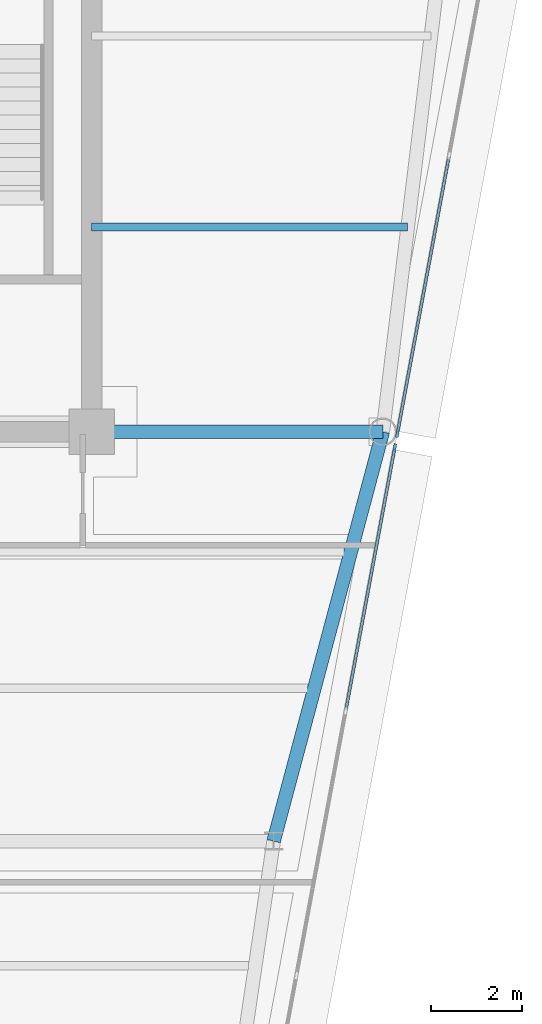
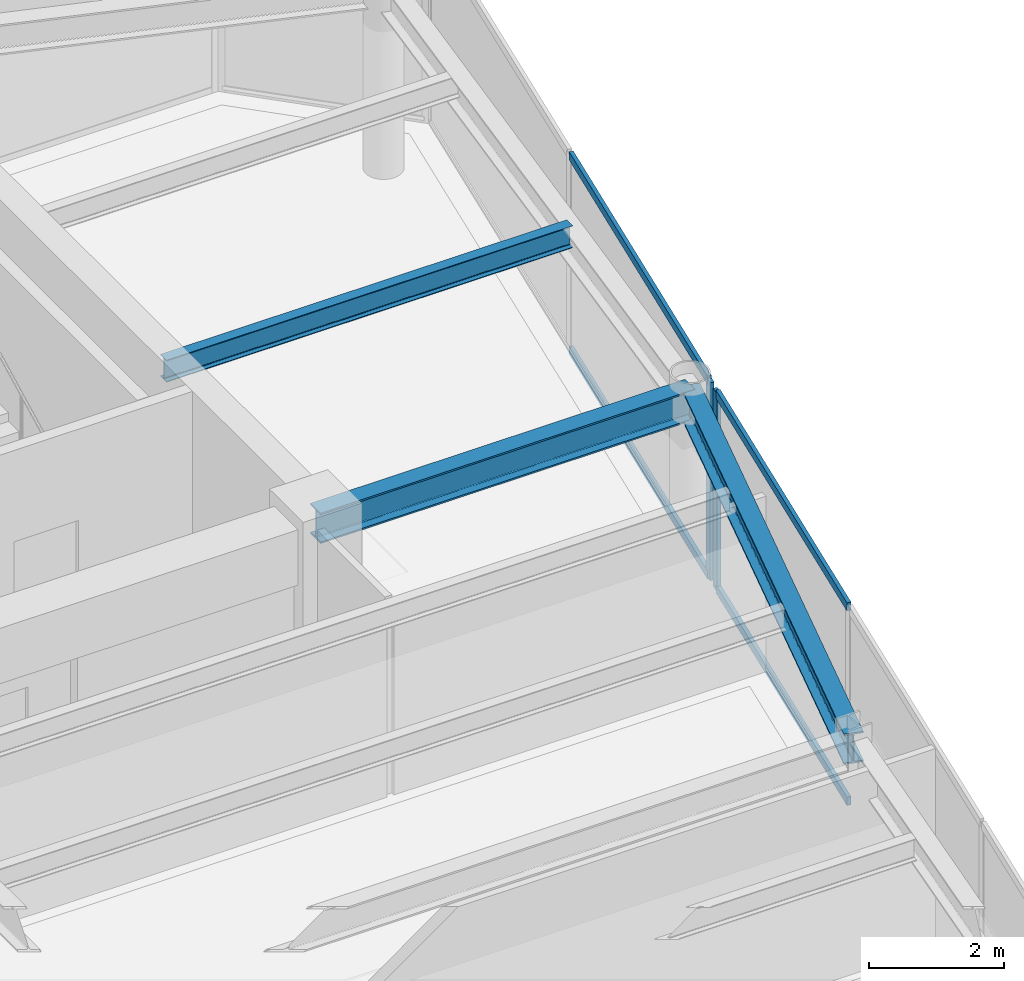
# One storey, part 6 of 18: 6 members, 3 beams, 2 elements without a shape of their own.
"""IFC4 building model written with IfcOpenShell, lengths in metres."""

from ifc_helpers import new_model, si_unit, direction, frame, origin, origin_2d, place, context, subcontext, project, spatial, rectangle, i_section, extrude, source, transform, mapped, material, layer, layer_set, material_profile, profile_set, type_object, element, aggregate, save


model = new_model("IFC4")

# Units and contexts
model_context = context("Model", 3, precision=1e-05, world=origin(), true_north=direction((0.0, 1.0)))
body_context = subcontext(model_context, "Body", "Model", "MODEL_VIEW")
ifc_project = project(units=[si_unit("LENGTHUNIT", "METRE"), si_unit("AREAUNIT", "SQUARE_METRE"), si_unit("VOLUMEUNIT", "CUBIC_METRE"), si_unit("PLANEANGLEUNIT", "RADIAN"), si_unit("MASSUNIT", "GRAM", prefix="KILO")], contexts=[model_context])

# Site, building, storey
site_placement = place(None, origin())
site = spatial("IfcSite", under=ifc_project, at=site_placement, CompositionType="ELEMENT")
building_placement = place(site_placement, origin())
building = spatial("IfcBuilding", under=site, at=building_placement, Name="Vaeldorn Concourse Tower", CompositionType="ELEMENT")
storey_placement = place(building_placement, frame((0.0, 0.0, 257.39990234375)))
storey = spatial("IfcBuildingStorey", under=building, at=storey_placement, Name="L66", CompositionType="ELEMENT", Elevation=257.39990234375)

# Beams
ifc_material_1 = material(Name="Steel S355", Category="steel")
ifc_material_profile_1 = material_profile(ifc_material_1, i_section(OverallWidth=0.179931640625, OverallDepth=0.39990234375, WebThickness=0.008544921875, FlangeThickness=0.013427734375, FilletRadius=0.02099609375, at=origin_2d()), Name="IPE 400")
ifc_profile_set_1 = profile_set([ifc_material_profile_1], Name="Steel S355")
beam_type_1 = type_object("IfcBeamType", Name="BM-JS-IPE400", PredefinedType="JOIST", material=ifc_profile_set_1)
shared_shape_1 = source(origin(), body_context, "Body", "SweptSolid", [
    extrude(i_section(OverallWidth=0.179931640625, OverallDepth=0.39990234375, WebThickness=0.008544921875, FlangeThickness=0.013427734375, FilletRadius=0.02099609375, at=origin_2d()), origin(), (0.0, 0.0, 1.0), 6.94775390625),
])
beam_1_placement = place(storey_placement, frame((54.0, 41.0, 3.380126953125), z_axis=(1.0, 0.0, 0.0), x_axis=(0.0, 1.0, 0.0)))
element("IfcBeam", 1, at=beam_1_placement, inside=storey, type_object=beam_type_1, Name="Beam JS-L66-NE-410", PredefinedType="JOIST", context=body_context, shape_type="MappedRepresentation", body=[
    mapped(shared_shape_1, transform((0.0, 0.0, 0.0), scale=1.0)),
])
ifc_material_profile_2 = material_profile(ifc_material_1, i_section(OverallWidth=0.300048828125, OverallDepth=0.550048828125, WebThickness=0.014892578125, FlangeThickness=0.029052734375, FilletRadius=0.027099609375, at=origin_2d()), Name="HEB 550")
ifc_profile_set_2 = profile_set([ifc_material_profile_2], Name="Steel S355")
beam_type_2 = type_object("IfcBeamType", Name="BM-PG-HEB550", PredefinedType="BEAM", material=ifc_profile_set_2)
shared_shape_2 = source(origin(), body_context, "Body", "SweptSolid", [
    extrude(i_section(OverallWidth=0.300048828125, OverallDepth=0.550048828125, WebThickness=0.014892578125, FlangeThickness=0.029052734375, FilletRadius=0.027099609375, at=origin_2d()), origin(), (0.0, 0.0, 1.0), 6.39990234375),
])
beam_2_placement = place(storey_placement, frame((54.0, 36.5, 3.30517578125), z_axis=(1.0, 0.0, 0.0), x_axis=(0.0, 1.0, 0.0)))
element("IfcBeam", 2, at=beam_2_placement, inside=storey, type_object=beam_type_2, Name="Beam BM-L66-C-FC6-C-NE2", PredefinedType="BEAM", context=body_context, shape_type="MappedRepresentation", body=[
    mapped(shared_shape_2, transform((0.0, 0.0, 0.0), scale=1.0)),
])
shared_shape_3 = source(origin(), body_context, "Body", "SweptSolid", [
    extrude(i_section(OverallWidth=0.300048828125, OverallDepth=0.550048828125, WebThickness=0.014892578125, FlangeThickness=0.029052734375, FilletRadius=0.027099609375, at=origin_2d()), origin(), (0.0, 0.0, 1.0), 9.314453125),
])
beam_3_placement = place(storey_placement, frame((60.39990234375, 36.5, 3.30517578125), z_axis=(-0.257652862255, -0.966237549763, 0.0), x_axis=(0.966237549763, -0.257652862255, 0.0)))
element("IfcBeam", 3, at=beam_3_placement, inside=storey, type_object=beam_type_2, Name="Beam BM-L66-C-NE2-C-FLE1", PredefinedType="BEAM", context=body_context, shape_type="MappedRepresentation", body=[
    mapped(shared_shape_3, transform((0.0, 0.0, 0.0), scale=1.0)),
])

# Curtain wall, member
ifc_material_2 = material(Name="Anodised Bronze Aluminium", Category="aluminium")
ifc_layer = layer(ifc_material_2, 0.179931640625)
ifc_layer_set = layer_set([ifc_layer], Name="Anodised Bronze Aluminium")
curtain_wall_type = type_object("IfcCurtainWallType", Name="CW-SYS-05", PredefinedType="NOTDEFINED", material=ifc_layer_set)
curtain_wall_1_placement = place(storey_placement, origin())
curtain_wall_1 = element("IfcCurtainWall", 4, at=curtain_wall_1_placement, inside=storey, type_object=curtain_wall_type, Name="Unitised Curtain Wall CW-L66-E07-1", PredefinedType="NOTDEFINED")
ifc_material_profile_3 = material_profile(ifc_material_2, rectangle(XDim=0.06494140625, YDim=0.169921875, at=origin_2d()), Name="CWM 65x170")
ifc_profile_set_3 = profile_set([ifc_material_profile_3], Name="Anodised Bronze Aluminium")
member_type_1 = type_object("IfcMemberType", Name="CWM-BRONZE-170", PredefinedType="MULLION", material=ifc_profile_set_3)
shared_shape_4 = source(origin(), body_context, "Body", "SweptSolid", [
    extrude(rectangle(XDim=0.06494140625, YDim=0.169921875, at=origin_2d()), origin(), (0.0, 0.0, 1.0), 3.580078125),
])
member_1_placement = place(storey_placement, frame((60.663818359375, 36.153076171875, 0.0), z_axis=(0.0, 0.0, 1.0), x_axis=(-0.983102653673, 0.18305510739, 0.0)))
member_1 = element("IfcMember", 5, at=member_1_placement, type_object=member_type_1, Name="CW-05 mullion 5", PredefinedType="MULLION", context=body_context, shape_type="MappedRepresentation", body=[
    mapped(shared_shape_4, transform((0.0, 0.0, 0.0), scale=1.0)),
])

curtain_wall_2_placement = place(storey_placement, origin())
curtain_wall_2 = element("IfcCurtainWall", 6, at=curtain_wall_2_placement, inside=storey, type_object=curtain_wall_type, Name="Unitised Curtain Wall CW-L66-E07-2", PredefinedType="NOTDEFINED")
member_2_placement = place(storey_placement, frame((60.720947265625, 36.460205078125, 0.0), z_axis=(0.0, 0.0, 1.0), x_axis=(-0.983102768025, 0.183054493257, 0.0)))
member_2 = element("IfcMember", 7, at=member_2_placement, type_object=member_type_1, Name="CW-05 mullion 1", PredefinedType="MULLION", context=body_context, shape_type="MappedRepresentation", body=[
    mapped(shared_shape_4, transform((0.0, 0.0, 0.0), scale=1.0)),
])

# Member
ifc_material_profile_4 = material_profile(ifc_material_2, rectangle(XDim=0.06494140625, YDim=0.14990234375, at=origin_2d()), Name="CWT 65x150")
ifc_profile_set_4 = profile_set([ifc_material_profile_4], Name="Anodised Bronze Aluminium")
member_type_2 = type_object("IfcMemberType", Name="CWT-BRONZE-150", PredefinedType="USERDEFINED", material=ifc_profile_set_4)
shared_shape_5 = source(origin(), body_context, "Body", "SweptSolid", [
    extrude(rectangle(XDim=0.06494140625, YDim=0.14990234375, at=origin_2d()), origin(), (0.0, 0.0, 1.0), 5.82373046875),
])
member_3_placement = place(storey_placement, frame((59.591796875, 30.395751953125, 0.03271484375), z_axis=(0.183030414843, 0.983107251139, 0.0), x_axis=(-0.983107251139, 0.183030414843, 0.0)))
member_3 = element("IfcMember", 8, at=member_3_placement, type_object=member_type_2, Name="CW-05 transom 4.1", ObjectType="TRANSOM", PredefinedType="USERDEFINED", context=body_context, shape_type="MappedRepresentation", body=[
    mapped(shared_shape_5, transform((0.0, 0.0, 0.0), scale=1.0)),
])

member_4_placement = place(storey_placement, frame((59.591796875, 30.395751953125, 3.547607421875), z_axis=(0.183030414843, 0.983107251139, 0.0), x_axis=(-0.983107251139, 0.183030414843, 0.0)))
member_4 = element("IfcMember", 9, at=member_4_placement, type_object=member_type_2, Name="CW-05 transom 4.2", ObjectType="TRANSOM", PredefinedType="USERDEFINED", context=body_context, shape_type="MappedRepresentation", body=[
    mapped(shared_shape_5, transform((0.0, 0.0, 0.0), scale=1.0)),
])

aggregate(curtain_wall_1, [member_1, member_3, member_4])

shared_shape_6 = source(origin(), body_context, "Body", "SweptSolid", [
    extrude(rectangle(XDim=0.06494140625, YDim=0.14990234375, at=origin_2d()), origin(), (0.0, 0.0, 1.0), 6.143798828125),
])
member_5_placement = place(storey_placement, frame((60.726806640625, 36.4921875, 0.03271484375), z_axis=(0.183069583935, 0.983099958009, 0.0), x_axis=(-0.983099958009, 0.183069583935, 0.0)))
member_5 = element("IfcMember", 10, at=member_5_placement, type_object=member_type_2, Name="CW-05 transom 1.1", ObjectType="TRANSOM", PredefinedType="USERDEFINED", context=body_context, shape_type="MappedRepresentation", body=[
    mapped(shared_shape_6, transform((0.0, 0.0, 0.0), scale=1.0)),
])

member_6_placement = place(storey_placement, frame((60.726806640625, 36.4921875, 3.547607421875), z_axis=(0.183069583935, 0.983099958009, 0.0), x_axis=(-0.983099958009, 0.183069583935, 0.0)))
member_6 = element("IfcMember", 11, at=member_6_placement, type_object=member_type_2, Name="CW-05 transom 1.2", ObjectType="TRANSOM", PredefinedType="USERDEFINED", context=body_context, shape_type="MappedRepresentation", body=[
    mapped(shared_shape_6, transform((0.0, 0.0, 0.0), scale=1.0)),
])

aggregate(curtain_wall_2, [member_2, member_5, member_6])

save(model, "model.ifc")
